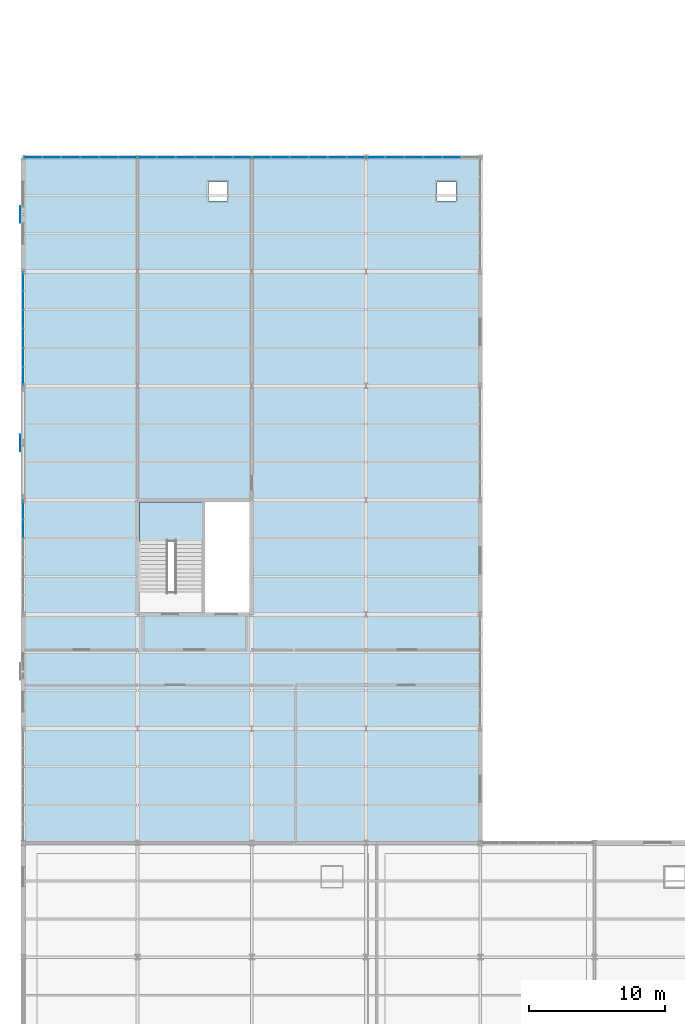
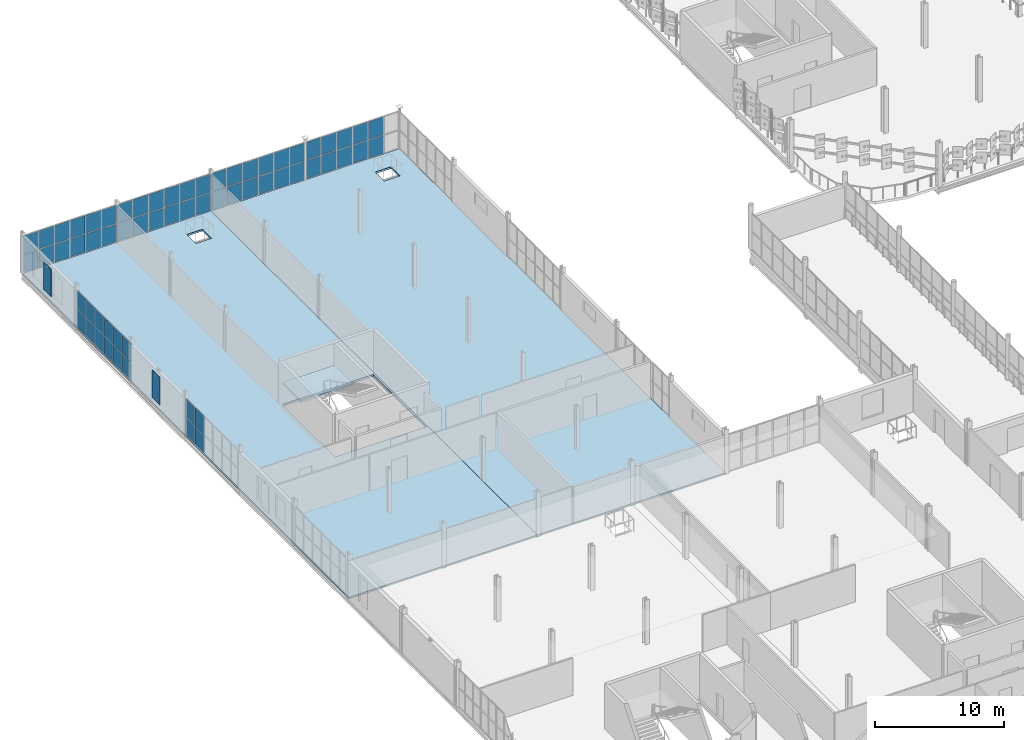
# One storey, part 119 of 163: 64 plates, 3 slabs, 7 elements without a shape of their own.
"""IFC4 building model written with IfcOpenShell, lengths in metres."""

from ifc_helpers import new_model, si_unit, direction, frame, origin, origin_2d, place, context, subcontext, project, spatial, polyline, rectangle, outline, extrude, material, layer, layer_set, type_object, element, aggregate, save


model = new_model("IFC4")

# Units and contexts
model_context = context("Model", 3, precision=1e-05, world=origin(), true_north=direction((0.0, 1.0)))
body_context = subcontext(model_context, "Body", "Model", "MODEL_VIEW")
ifc_project = project(units=[si_unit("LENGTHUNIT", "METRE"), si_unit("AREAUNIT", "SQUARE_METRE"), si_unit("VOLUMEUNIT", "CUBIC_METRE"), si_unit("PLANEANGLEUNIT", "RADIAN"), si_unit("MASSUNIT", "GRAM", prefix="KILO")], contexts=[model_context])

# Site, building, storey
site_placement = place(None, origin())
site = spatial("IfcSite", under=ifc_project, at=site_placement, CompositionType="ELEMENT")
building_placement = place(site_placement, origin())
building = spatial("IfcBuilding", under=site, at=building_placement, Name="Qalvenar Corner Mobility Hub", CompositionType="ELEMENT")
storey_placement = place(building_placement, frame((0.0, 0.0, 4.800048828125)))
storey = spatial("IfcBuildingStorey", under=building, at=storey_placement, Name="L01", CompositionType="ELEMENT", Elevation=4.800048828125)

# Curtain wall, plates
ifc_material_1 = material(Name="Anodised Aluminium and Low-E Glazing", Category="aluminium")
ifc_layer_1 = layer(ifc_material_1, 0.14990234375)
ifc_layer_set_1 = layer_set([ifc_layer_1], Name="Anodised Aluminium and Low-E Glazing")
curtain_wall_type = type_object("IfcCurtainWallType", Name="CW-CYC-84X39", PredefinedType="NOTDEFINED", material=ifc_layer_set_1)
curtain_wall_1_placement = place(storey_placement, origin())
curtain_wall_1 = element("IfcCurtainWall", 1, at=curtain_wall_1_placement, inside=storey, type_object=curtain_wall_type, Name="Glazed Curtain Wall CW-V5-L01-W2", PredefinedType="NOTDEFINED")
ifc_material_2 = material(Name="Solar-Control Low-E Double Glazing", Category="glass")
ifc_layer_2 = layer(ifc_material_2, 0.028076171875)
ifc_layer_set_2 = layer_set([ifc_layer_2], Name="Solar-Control Low-E Double Glazing")
plate_type_1 = type_object("IfcPlateType", Name="PLT-CWP-GLZ1", PredefinedType="CURTAIN_PANEL", material=ifc_layer_set_2)
plate_1_placement = place(storey_placement, frame((0.0, 66.485107421875, 0.05517578125), z_axis=(0.0, 0.0, 1.0), x_axis=(0.0, -1.0, 0.0)))
plate_1 = element("IfcPlate", 2, at=plate_1_placement, type_object=plate_type_1, Name="CW-08 panel 1.1", PredefinedType="CURTAIN_PANEL", context=body_context, shape_type="SweptSolid", body=[
    extrude(rectangle(XDim=1.31005859375, YDim=0.028076171875, at=origin_2d()), origin(), (0.0, 0.0, 1.0), 1.702392578125),
])
plate_2_placement = place(storey_placement, frame((0.0, 66.485107421875, 1.8125), z_axis=(0.0, 0.0, 1.0), x_axis=(0.0, -1.0, 0.0)))
plate_2 = element("IfcPlate", 3, at=plate_2_placement, type_object=plate_type_1, Name="CW-08 panel 1.2", PredefinedType="CURTAIN_PANEL", context=body_context, shape_type="SweptSolid", body=[
    extrude(rectangle(XDim=1.31005859375, YDim=0.028076171875, at=origin_2d()), origin(), (0.0, 0.0, 1.0), 1.702392578125),
])
plate_3_placement = place(storey_placement, frame((0.0, 65.10009765625, 0.05517578125), z_axis=(0.0, 0.0, 1.0), x_axis=(0.0, -1.0, 0.0)))
plate_3 = element("IfcPlate", 4, at=plate_3_placement, type_object=plate_type_1, Name="CW-08 panel 2.1", PredefinedType="CURTAIN_PANEL", context=body_context, shape_type="SweptSolid", body=[
    extrude(rectangle(XDim=1.340087890625, YDim=0.028076171875, at=origin_2d()), origin(), (0.0, 0.0, 1.0), 1.702392578125),
])
plate_4_placement = place(storey_placement, frame((0.0, 65.10009765625, 1.8125), z_axis=(0.0, 0.0, 1.0), x_axis=(0.0, -1.0, 0.0)))
plate_4 = element("IfcPlate", 5, at=plate_4_placement, type_object=plate_type_1, Name="CW-08 panel 2.2", PredefinedType="CURTAIN_PANEL", context=body_context, shape_type="SweptSolid", body=[
    extrude(rectangle(XDim=1.340087890625, YDim=0.028076171875, at=origin_2d()), origin(), (0.0, 0.0, 1.0), 1.702392578125),
])
aggregate(curtain_wall_1, [plate_1, plate_2, plate_3, plate_4])

curtain_wall_2_placement = place(storey_placement, origin())
curtain_wall_2 = element("IfcCurtainWall", 6, at=curtain_wall_2_placement, inside=storey, type_object=curtain_wall_type, Name="Glazed Curtain Wall CW-V5-L01-W4", PredefinedType="NOTDEFINED")
plate_5_placement = place(storey_placement, frame((0.0, 83.284912109375, 0.05517578125), z_axis=(0.0, 0.0, 1.0), x_axis=(0.0, -1.0, 0.0)))
plate_5 = element("IfcPlate", 7, at=plate_5_placement, type_object=plate_type_1, Name="CW-08 panel 1.1", PredefinedType="CURTAIN_PANEL", context=body_context, shape_type="SweptSolid", body=[
    extrude(rectangle(XDim=1.31005859375, YDim=0.028076171875, at=origin_2d()), origin(), (0.0, 0.0, 1.0), 1.702392578125),
])
plate_6_placement = place(storey_placement, frame((0.0, 83.284912109375, 1.8125), z_axis=(0.0, 0.0, 1.0), x_axis=(0.0, -1.0, 0.0)))
plate_6 = element("IfcPlate", 8, at=plate_6_placement, type_object=plate_type_1, Name="CW-08 panel 1.2", PredefinedType="CURTAIN_PANEL", context=body_context, shape_type="SweptSolid", body=[
    extrude(rectangle(XDim=1.31005859375, YDim=0.028076171875, at=origin_2d()), origin(), (0.0, 0.0, 1.0), 1.702392578125),
])
plate_7_placement = place(storey_placement, frame((0.0, 81.89990234375, 0.05517578125), z_axis=(0.0, 0.0, 1.0), x_axis=(0.0, -1.0, 0.0)))
plate_7 = element("IfcPlate", 9, at=plate_7_placement, type_object=plate_type_1, Name="CW-08 panel 2.1", PredefinedType="CURTAIN_PANEL", context=body_context, shape_type="SweptSolid", body=[
    extrude(rectangle(XDim=1.340087890625, YDim=0.028076171875, at=origin_2d()), origin(), (0.0, 0.0, 1.0), 1.702392578125),
])
plate_8_placement = place(storey_placement, frame((0.0, 81.89990234375, 1.8125), z_axis=(0.0, 0.0, 1.0), x_axis=(0.0, -1.0, 0.0)))
plate_8 = element("IfcPlate", 10, at=plate_8_placement, type_object=plate_type_1, Name="CW-08 panel 2.2", PredefinedType="CURTAIN_PANEL", context=body_context, shape_type="SweptSolid", body=[
    extrude(rectangle(XDim=1.340087890625, YDim=0.028076171875, at=origin_2d()), origin(), (0.0, 0.0, 1.0), 1.702392578125),
])
plate_9_placement = place(storey_placement, frame((0.0, 80.5, 0.05517578125), z_axis=(0.0, 0.0, 1.0), x_axis=(0.0, -1.0, 0.0)))
plate_9 = element("IfcPlate", 11, at=plate_9_placement, type_object=plate_type_1, Name="CW-08 panel 3.1", PredefinedType="CURTAIN_PANEL", context=body_context, shape_type="SweptSolid", body=[
    extrude(rectangle(XDim=1.340087890625, YDim=0.028076171875, at=origin_2d()), origin(), (0.0, 0.0, 1.0), 1.702392578125),
])
plate_10_placement = place(storey_placement, frame((0.0, 80.5, 1.8125), z_axis=(0.0, 0.0, 1.0), x_axis=(0.0, -1.0, 0.0)))
plate_10 = element("IfcPlate", 12, at=plate_10_placement, type_object=plate_type_1, Name="CW-08 panel 3.2", PredefinedType="CURTAIN_PANEL", context=body_context, shape_type="SweptSolid", body=[
    extrude(rectangle(XDim=1.340087890625, YDim=0.028076171875, at=origin_2d()), origin(), (0.0, 0.0, 1.0), 1.702392578125),
])
plate_11_placement = place(storey_placement, frame((0.0, 79.10009765625, 0.05517578125), z_axis=(0.0, 0.0, 1.0), x_axis=(0.0, -1.0, 0.0)))
plate_11 = element("IfcPlate", 13, at=plate_11_placement, type_object=plate_type_1, Name="CW-08 panel 4.1", PredefinedType="CURTAIN_PANEL", context=body_context, shape_type="SweptSolid", body=[
    extrude(rectangle(XDim=1.340087890625, YDim=0.028076171875, at=origin_2d()), origin(), (0.0, 0.0, 1.0), 1.702392578125),
])
plate_12_placement = place(storey_placement, frame((0.0, 79.10009765625, 1.8125), z_axis=(0.0, 0.0, 1.0), x_axis=(0.0, -1.0, 0.0)))
plate_12 = element("IfcPlate", 14, at=plate_12_placement, type_object=plate_type_1, Name="CW-08 panel 4.2", PredefinedType="CURTAIN_PANEL", context=body_context, shape_type="SweptSolid", body=[
    extrude(rectangle(XDim=1.340087890625, YDim=0.028076171875, at=origin_2d()), origin(), (0.0, 0.0, 1.0), 1.702392578125),
])
plate_13_placement = place(storey_placement, frame((0.0, 77.699951171875, 0.05517578125), z_axis=(0.0, 0.0, 1.0), x_axis=(0.0, -1.0, 0.0)))
plate_13 = element("IfcPlate", 15, at=plate_13_placement, type_object=plate_type_1, Name="CW-08 panel 5.1", PredefinedType="CURTAIN_PANEL", context=body_context, shape_type="SweptSolid", body=[
    extrude(rectangle(XDim=1.340087890625, YDim=0.028076171875, at=origin_2d()), origin(), (0.0, 0.0, 1.0), 1.702392578125),
])
plate_14_placement = place(storey_placement, frame((0.0, 77.699951171875, 1.8125), z_axis=(0.0, 0.0, 1.0), x_axis=(0.0, -1.0, 0.0)))
plate_14 = element("IfcPlate", 16, at=plate_14_placement, type_object=plate_type_1, Name="CW-08 panel 5.2", PredefinedType="CURTAIN_PANEL", context=body_context, shape_type="SweptSolid", body=[
    extrude(rectangle(XDim=1.340087890625, YDim=0.028076171875, at=origin_2d()), origin(), (0.0, 0.0, 1.0), 1.702392578125),
])
plate_15_placement = place(storey_placement, frame((0.0, 76.31494140625, 0.05517578125), z_axis=(0.0, 0.0, 1.0), x_axis=(0.0, -1.0, 0.0)))
plate_15 = element("IfcPlate", 17, at=plate_15_placement, type_object=plate_type_1, Name="CW-08 panel 6.1", PredefinedType="CURTAIN_PANEL", context=body_context, shape_type="SweptSolid", body=[
    extrude(rectangle(XDim=1.31005859375, YDim=0.028076171875, at=origin_2d()), origin(), (0.0, 0.0, 1.0), 1.702392578125),
])
plate_16_placement = place(storey_placement, frame((0.0, 76.31494140625, 1.8125), z_axis=(0.0, 0.0, 1.0), x_axis=(0.0, -1.0, 0.0)))
plate_16 = element("IfcPlate", 18, at=plate_16_placement, type_object=plate_type_1, Name="CW-08 panel 6.2", PredefinedType="CURTAIN_PANEL", context=body_context, shape_type="SweptSolid", body=[
    extrude(rectangle(XDim=1.31005859375, YDim=0.028076171875, at=origin_2d()), origin(), (0.0, 0.0, 1.0), 1.702392578125),
])
aggregate(curtain_wall_2, [plate_5, plate_6, plate_7, plate_8, plate_9, plate_10, plate_11, plate_12, plate_13, plate_14, plate_15, plate_16])

curtain_wall_3_placement = place(storey_placement, origin())
curtain_wall_3 = element("IfcCurtainWall", 19, at=curtain_wall_3_placement, inside=storey, type_object=curtain_wall_type, Name="Glazed Curtain Wall CW-V5-L01-N0", PredefinedType="NOTDEFINED")
plate_17_placement = place(storey_placement, frame((7.68505859375, 92.39990234375, 0.05517578125), z_axis=(0.0, 0.0, 1.0), x_axis=(-1.0, 0.0, 0.0)))
plate_17 = element("IfcPlate", 20, at=plate_17_placement, type_object=plate_type_1, Name="CW-08 panel 1.1", PredefinedType="CURTAIN_PANEL", context=body_context, shape_type="SweptSolid", body=[
    extrude(rectangle(XDim=1.31005859375, YDim=0.028076171875, at=origin_2d()), origin(), (0.0, 0.0, 1.0), 1.702392578125),
])
plate_18_placement = place(storey_placement, frame((7.68505859375, 92.39990234375, 1.8125), z_axis=(0.0, 0.0, 1.0), x_axis=(-1.0, 0.0, 0.0)))
plate_18 = element("IfcPlate", 21, at=plate_18_placement, type_object=plate_type_1, Name="CW-08 panel 1.2", PredefinedType="CURTAIN_PANEL", context=body_context, shape_type="SweptSolid", body=[
    extrude(rectangle(XDim=1.31005859375, YDim=0.028076171875, at=origin_2d()), origin(), (0.0, 0.0, 1.0), 1.702392578125),
])
plate_19_placement = place(storey_placement, frame((6.300048828125, 92.39990234375, 0.05517578125), z_axis=(0.0, 0.0, 1.0), x_axis=(-1.0, 0.0, 0.0)))
plate_19 = element("IfcPlate", 22, at=plate_19_placement, type_object=plate_type_1, Name="CW-08 panel 2.1", PredefinedType="CURTAIN_PANEL", context=body_context, shape_type="SweptSolid", body=[
    extrude(rectangle(XDim=1.340087890625, YDim=0.028076171875, at=origin_2d()), origin(), (0.0, 0.0, 1.0), 1.702392578125),
])
plate_20_placement = place(storey_placement, frame((6.300048828125, 92.39990234375, 1.8125), z_axis=(0.0, 0.0, 1.0), x_axis=(-1.0, 0.0, 0.0)))
plate_20 = element("IfcPlate", 23, at=plate_20_placement, type_object=plate_type_1, Name="CW-08 panel 2.2", PredefinedType="CURTAIN_PANEL", context=body_context, shape_type="SweptSolid", body=[
    extrude(rectangle(XDim=1.340087890625, YDim=0.028076171875, at=origin_2d()), origin(), (0.0, 0.0, 1.0), 1.702392578125),
])
plate_21_placement = place(storey_placement, frame((4.89990234375, 92.39990234375, 0.05517578125), z_axis=(0.0, 0.0, 1.0), x_axis=(-1.0, 0.0, 0.0)))
plate_21 = element("IfcPlate", 24, at=plate_21_placement, type_object=plate_type_1, Name="CW-08 panel 3.1", PredefinedType="CURTAIN_PANEL", context=body_context, shape_type="SweptSolid", body=[
    extrude(rectangle(XDim=1.340087890625, YDim=0.028076171875, at=origin_2d()), origin(), (0.0, 0.0, 1.0), 1.702392578125),
])
plate_22_placement = place(storey_placement, frame((4.89990234375, 92.39990234375, 1.8125), z_axis=(0.0, 0.0, 1.0), x_axis=(-1.0, 0.0, 0.0)))
plate_22 = element("IfcPlate", 25, at=plate_22_placement, type_object=plate_type_1, Name="CW-08 panel 3.2", PredefinedType="CURTAIN_PANEL", context=body_context, shape_type="SweptSolid", body=[
    extrude(rectangle(XDim=1.340087890625, YDim=0.028076171875, at=origin_2d()), origin(), (0.0, 0.0, 1.0), 1.702392578125),
])
plate_23_placement = place(storey_placement, frame((3.5, 92.39990234375, 0.05517578125), z_axis=(0.0, 0.0, 1.0), x_axis=(-1.0, 0.0, 0.0)))
plate_23 = element("IfcPlate", 26, at=plate_23_placement, type_object=plate_type_1, Name="CW-08 panel 4.1", PredefinedType="CURTAIN_PANEL", context=body_context, shape_type="SweptSolid", body=[
    extrude(rectangle(XDim=1.340087890625, YDim=0.028076171875, at=origin_2d()), origin(), (0.0, 0.0, 1.0), 1.702392578125),
])
plate_24_placement = place(storey_placement, frame((3.5, 92.39990234375, 1.8125), z_axis=(0.0, 0.0, 1.0), x_axis=(-1.0, 0.0, 0.0)))
plate_24 = element("IfcPlate", 27, at=plate_24_placement, type_object=plate_type_1, Name="CW-08 panel 4.2", PredefinedType="CURTAIN_PANEL", context=body_context, shape_type="SweptSolid", body=[
    extrude(rectangle(XDim=1.340087890625, YDim=0.028076171875, at=origin_2d()), origin(), (0.0, 0.0, 1.0), 1.702392578125),
])
plate_25_placement = place(storey_placement, frame((2.10009765625, 92.39990234375, 0.05517578125), z_axis=(0.0, 0.0, 1.0), x_axis=(-1.0, 0.0, 0.0)))
plate_25 = element("IfcPlate", 28, at=plate_25_placement, type_object=plate_type_1, Name="CW-08 panel 5.1", PredefinedType="CURTAIN_PANEL", context=body_context, shape_type="SweptSolid", body=[
    extrude(rectangle(XDim=1.340087890625, YDim=0.028076171875, at=origin_2d()), origin(), (0.0, 0.0, 1.0), 1.702392578125),
])
plate_26_placement = place(storey_placement, frame((2.10009765625, 92.39990234375, 1.8125), z_axis=(0.0, 0.0, 1.0), x_axis=(-1.0, 0.0, 0.0)))
plate_26 = element("IfcPlate", 29, at=plate_26_placement, type_object=plate_type_1, Name="CW-08 panel 5.2", PredefinedType="CURTAIN_PANEL", context=body_context, shape_type="SweptSolid", body=[
    extrude(rectangle(XDim=1.340087890625, YDim=0.028076171875, at=origin_2d()), origin(), (0.0, 0.0, 1.0), 1.702392578125),
])
plate_27_placement = place(storey_placement, frame((0.715087890625, 92.39990234375, 0.05517578125), z_axis=(0.0, 0.0, 1.0), x_axis=(-1.0, 0.0, 0.0)))
plate_27 = element("IfcPlate", 30, at=plate_27_placement, type_object=plate_type_1, Name="CW-08 panel 6.1", PredefinedType="CURTAIN_PANEL", context=body_context, shape_type="SweptSolid", body=[
    extrude(rectangle(XDim=1.31005859375, YDim=0.028076171875, at=origin_2d()), origin(), (0.0, 0.0, 1.0), 1.702392578125),
])
plate_28_placement = place(storey_placement, frame((0.715087890625, 92.39990234375, 1.8125), z_axis=(0.0, 0.0, 1.0), x_axis=(-1.0, 0.0, 0.0)))
plate_28 = element("IfcPlate", 31, at=plate_28_placement, type_object=plate_type_1, Name="CW-08 panel 6.2", PredefinedType="CURTAIN_PANEL", context=body_context, shape_type="SweptSolid", body=[
    extrude(rectangle(XDim=1.31005859375, YDim=0.028076171875, at=origin_2d()), origin(), (0.0, 0.0, 1.0), 1.702392578125),
])
aggregate(curtain_wall_3, [plate_17, plate_18, plate_19, plate_20, plate_21, plate_22, plate_23, plate_24, plate_25, plate_26, plate_27, plate_28])

curtain_wall_4_placement = place(storey_placement, origin())
curtain_wall_4 = element("IfcCurtainWall", 32, at=curtain_wall_4_placement, inside=storey, type_object=curtain_wall_type, Name="Glazed Curtain Wall CW-V5-L01-N1", PredefinedType="NOTDEFINED")
plate_29_placement = place(storey_placement, frame((16.0849609375, 92.39990234375, 0.05517578125), z_axis=(0.0, 0.0, 1.0), x_axis=(-1.0, 0.0, 0.0)))
plate_29 = element("IfcPlate", 33, at=plate_29_placement, type_object=plate_type_1, Name="CW-08 panel 1.1", PredefinedType="CURTAIN_PANEL", context=body_context, shape_type="SweptSolid", body=[
    extrude(rectangle(XDim=1.31005859375, YDim=0.028076171875, at=origin_2d()), origin(), (0.0, 0.0, 1.0), 1.702392578125),
])
plate_30_placement = place(storey_placement, frame((16.0849609375, 92.39990234375, 1.8125), z_axis=(0.0, 0.0, 1.0), x_axis=(-1.0, 0.0, 0.0)))
plate_30 = element("IfcPlate", 34, at=plate_30_placement, type_object=plate_type_1, Name="CW-08 panel 1.2", PredefinedType="CURTAIN_PANEL", context=body_context, shape_type="SweptSolid", body=[
    extrude(rectangle(XDim=1.31005859375, YDim=0.028076171875, at=origin_2d()), origin(), (0.0, 0.0, 1.0), 1.702392578125),
])
plate_31_placement = place(storey_placement, frame((14.699951171875, 92.39990234375, 0.05517578125), z_axis=(0.0, 0.0, 1.0), x_axis=(-1.0, 0.0, 0.0)))
plate_31 = element("IfcPlate", 35, at=plate_31_placement, type_object=plate_type_1, Name="CW-08 panel 2.1", PredefinedType="CURTAIN_PANEL", context=body_context, shape_type="SweptSolid", body=[
    extrude(rectangle(XDim=1.340087890625, YDim=0.028076171875, at=origin_2d()), origin(), (0.0, 0.0, 1.0), 1.702392578125),
])
plate_32_placement = place(storey_placement, frame((14.699951171875, 92.39990234375, 1.8125), z_axis=(0.0, 0.0, 1.0), x_axis=(-1.0, 0.0, 0.0)))
plate_32 = element("IfcPlate", 36, at=plate_32_placement, type_object=plate_type_1, Name="CW-08 panel 2.2", PredefinedType="CURTAIN_PANEL", context=body_context, shape_type="SweptSolid", body=[
    extrude(rectangle(XDim=1.340087890625, YDim=0.028076171875, at=origin_2d()), origin(), (0.0, 0.0, 1.0), 1.702392578125),
])
plate_33_placement = place(storey_placement, frame((13.300048828125, 92.39990234375, 0.05517578125), z_axis=(0.0, 0.0, 1.0), x_axis=(-1.0, 0.0, 0.0)))
plate_33 = element("IfcPlate", 37, at=plate_33_placement, type_object=plate_type_1, Name="CW-08 panel 3.1", PredefinedType="CURTAIN_PANEL", context=body_context, shape_type="SweptSolid", body=[
    extrude(rectangle(XDim=1.340087890625, YDim=0.028076171875, at=origin_2d()), origin(), (0.0, 0.0, 1.0), 1.702392578125),
])
plate_34_placement = place(storey_placement, frame((13.300048828125, 92.39990234375, 1.8125), z_axis=(0.0, 0.0, 1.0), x_axis=(-1.0, 0.0, 0.0)))
plate_34 = element("IfcPlate", 38, at=plate_34_placement, type_object=plate_type_1, Name="CW-08 panel 3.2", PredefinedType="CURTAIN_PANEL", context=body_context, shape_type="SweptSolid", body=[
    extrude(rectangle(XDim=1.340087890625, YDim=0.028076171875, at=origin_2d()), origin(), (0.0, 0.0, 1.0), 1.702392578125),
])
plate_35_placement = place(storey_placement, frame((11.89990234375, 92.39990234375, 0.05517578125), z_axis=(0.0, 0.0, 1.0), x_axis=(-1.0, 0.0, 0.0)))
plate_35 = element("IfcPlate", 39, at=plate_35_placement, type_object=plate_type_1, Name="CW-08 panel 4.1", PredefinedType="CURTAIN_PANEL", context=body_context, shape_type="SweptSolid", body=[
    extrude(rectangle(XDim=1.340087890625, YDim=0.028076171875, at=origin_2d()), origin(), (0.0, 0.0, 1.0), 1.702392578125),
])
plate_36_placement = place(storey_placement, frame((11.89990234375, 92.39990234375, 1.8125), z_axis=(0.0, 0.0, 1.0), x_axis=(-1.0, 0.0, 0.0)))
plate_36 = element("IfcPlate", 40, at=plate_36_placement, type_object=plate_type_1, Name="CW-08 panel 4.2", PredefinedType="CURTAIN_PANEL", context=body_context, shape_type="SweptSolid", body=[
    extrude(rectangle(XDim=1.340087890625, YDim=0.028076171875, at=origin_2d()), origin(), (0.0, 0.0, 1.0), 1.702392578125),
])
plate_37_placement = place(storey_placement, frame((10.5, 92.39990234375, 0.05517578125), z_axis=(0.0, 0.0, 1.0), x_axis=(-1.0, 0.0, 0.0)))
plate_37 = element("IfcPlate", 41, at=plate_37_placement, type_object=plate_type_1, Name="CW-08 panel 5.1", PredefinedType="CURTAIN_PANEL", context=body_context, shape_type="SweptSolid", body=[
    extrude(rectangle(XDim=1.340087890625, YDim=0.028076171875, at=origin_2d()), origin(), (0.0, 0.0, 1.0), 1.702392578125),
])
plate_38_placement = place(storey_placement, frame((10.5, 92.39990234375, 1.8125), z_axis=(0.0, 0.0, 1.0), x_axis=(-1.0, 0.0, 0.0)))
plate_38 = element("IfcPlate", 42, at=plate_38_placement, type_object=plate_type_1, Name="CW-08 panel 5.2", PredefinedType="CURTAIN_PANEL", context=body_context, shape_type="SweptSolid", body=[
    extrude(rectangle(XDim=1.340087890625, YDim=0.028076171875, at=origin_2d()), origin(), (0.0, 0.0, 1.0), 1.702392578125),
])
plate_39_placement = place(storey_placement, frame((9.114990234375, 92.39990234375, 0.05517578125), z_axis=(0.0, 0.0, 1.0), x_axis=(-1.0, 0.0, 0.0)))
plate_39 = element("IfcPlate", 43, at=plate_39_placement, type_object=plate_type_1, Name="CW-08 panel 6.1", PredefinedType="CURTAIN_PANEL", context=body_context, shape_type="SweptSolid", body=[
    extrude(rectangle(XDim=1.31005859375, YDim=0.028076171875, at=origin_2d()), origin(), (0.0, 0.0, 1.0), 1.702392578125),
])
plate_40_placement = place(storey_placement, frame((9.114990234375, 92.39990234375, 1.8125), z_axis=(0.0, 0.0, 1.0), x_axis=(-1.0, 0.0, 0.0)))
plate_40 = element("IfcPlate", 44, at=plate_40_placement, type_object=plate_type_1, Name="CW-08 panel 6.2", PredefinedType="CURTAIN_PANEL", context=body_context, shape_type="SweptSolid", body=[
    extrude(rectangle(XDim=1.31005859375, YDim=0.028076171875, at=origin_2d()), origin(), (0.0, 0.0, 1.0), 1.702392578125),
])
aggregate(curtain_wall_4, [plate_29, plate_30, plate_31, plate_32, plate_33, plate_34, plate_35, plate_36, plate_37, plate_38, plate_39, plate_40])

curtain_wall_5_placement = place(storey_placement, origin())
curtain_wall_5 = element("IfcCurtainWall", 45, at=curtain_wall_5_placement, inside=storey, type_object=curtain_wall_type, Name="Glazed Curtain Wall CW-V5-L01-N2", PredefinedType="NOTDEFINED")
plate_41_placement = place(storey_placement, frame((24.485107421875, 92.39990234375, 0.05517578125), z_axis=(0.0, 0.0, 1.0), x_axis=(-1.0, 0.0, 0.0)))
plate_41 = element("IfcPlate", 46, at=plate_41_placement, type_object=plate_type_1, Name="CW-08 panel 1.1", PredefinedType="CURTAIN_PANEL", context=body_context, shape_type="SweptSolid", body=[
    extrude(rectangle(XDim=1.31005859375, YDim=0.028076171875, at=origin_2d()), origin(), (0.0, 0.0, 1.0), 1.702392578125),
])
plate_42_placement = place(storey_placement, frame((24.485107421875, 92.39990234375, 1.8125), z_axis=(0.0, 0.0, 1.0), x_axis=(-1.0, 0.0, 0.0)))
plate_42 = element("IfcPlate", 47, at=plate_42_placement, type_object=plate_type_1, Name="CW-08 panel 1.2", PredefinedType="CURTAIN_PANEL", context=body_context, shape_type="SweptSolid", body=[
    extrude(rectangle(XDim=1.31005859375, YDim=0.028076171875, at=origin_2d()), origin(), (0.0, 0.0, 1.0), 1.702392578125),
])
plate_43_placement = place(storey_placement, frame((23.10009765625, 92.39990234375, 0.05517578125), z_axis=(0.0, 0.0, 1.0), x_axis=(-1.0, 0.0, 0.0)))
plate_43 = element("IfcPlate", 48, at=plate_43_placement, type_object=plate_type_1, Name="CW-08 panel 2.1", PredefinedType="CURTAIN_PANEL", context=body_context, shape_type="SweptSolid", body=[
    extrude(rectangle(XDim=1.340087890625, YDim=0.028076171875, at=origin_2d()), origin(), (0.0, 0.0, 1.0), 1.702392578125),
])
plate_44_placement = place(storey_placement, frame((23.10009765625, 92.39990234375, 1.8125), z_axis=(0.0, 0.0, 1.0), x_axis=(-1.0, 0.0, 0.0)))
plate_44 = element("IfcPlate", 49, at=plate_44_placement, type_object=plate_type_1, Name="CW-08 panel 2.2", PredefinedType="CURTAIN_PANEL", context=body_context, shape_type="SweptSolid", body=[
    extrude(rectangle(XDim=1.340087890625, YDim=0.028076171875, at=origin_2d()), origin(), (0.0, 0.0, 1.0), 1.702392578125),
])
plate_45_placement = place(storey_placement, frame((21.699951171875, 92.39990234375, 0.05517578125), z_axis=(0.0, 0.0, 1.0), x_axis=(-1.0, 0.0, 0.0)))
plate_45 = element("IfcPlate", 50, at=plate_45_placement, type_object=plate_type_1, Name="CW-08 panel 3.1", PredefinedType="CURTAIN_PANEL", context=body_context, shape_type="SweptSolid", body=[
    extrude(rectangle(XDim=1.340087890625, YDim=0.028076171875, at=origin_2d()), origin(), (0.0, 0.0, 1.0), 1.702392578125),
])
plate_46_placement = place(storey_placement, frame((21.699951171875, 92.39990234375, 1.8125), z_axis=(0.0, 0.0, 1.0), x_axis=(-1.0, 0.0, 0.0)))
plate_46 = element("IfcPlate", 51, at=plate_46_placement, type_object=plate_type_1, Name="CW-08 panel 3.2", PredefinedType="CURTAIN_PANEL", context=body_context, shape_type="SweptSolid", body=[
    extrude(rectangle(XDim=1.340087890625, YDim=0.028076171875, at=origin_2d()), origin(), (0.0, 0.0, 1.0), 1.702392578125),
])
plate_47_placement = place(storey_placement, frame((20.300048828125, 92.39990234375, 0.05517578125), z_axis=(0.0, 0.0, 1.0), x_axis=(-1.0, 0.0, 0.0)))
plate_47 = element("IfcPlate", 52, at=plate_47_placement, type_object=plate_type_1, Name="CW-08 panel 4.1", PredefinedType="CURTAIN_PANEL", context=body_context, shape_type="SweptSolid", body=[
    extrude(rectangle(XDim=1.340087890625, YDim=0.028076171875, at=origin_2d()), origin(), (0.0, 0.0, 1.0), 1.702392578125),
])
plate_48_placement = place(storey_placement, frame((20.300048828125, 92.39990234375, 1.8125), z_axis=(0.0, 0.0, 1.0), x_axis=(-1.0, 0.0, 0.0)))
plate_48 = element("IfcPlate", 53, at=plate_48_placement, type_object=plate_type_1, Name="CW-08 panel 4.2", PredefinedType="CURTAIN_PANEL", context=body_context, shape_type="SweptSolid", body=[
    extrude(rectangle(XDim=1.340087890625, YDim=0.028076171875, at=origin_2d()), origin(), (0.0, 0.0, 1.0), 1.702392578125),
])
plate_49_placement = place(storey_placement, frame((18.89990234375, 92.39990234375, 0.05517578125), z_axis=(0.0, 0.0, 1.0), x_axis=(-1.0, 0.0, 0.0)))
plate_49 = element("IfcPlate", 54, at=plate_49_placement, type_object=plate_type_1, Name="CW-08 panel 5.1", PredefinedType="CURTAIN_PANEL", context=body_context, shape_type="SweptSolid", body=[
    extrude(rectangle(XDim=1.340087890625, YDim=0.028076171875, at=origin_2d()), origin(), (0.0, 0.0, 1.0), 1.702392578125),
])
plate_50_placement = place(storey_placement, frame((18.89990234375, 92.39990234375, 1.8125), z_axis=(0.0, 0.0, 1.0), x_axis=(-1.0, 0.0, 0.0)))
plate_50 = element("IfcPlate", 55, at=plate_50_placement, type_object=plate_type_1, Name="CW-08 panel 5.2", PredefinedType="CURTAIN_PANEL", context=body_context, shape_type="SweptSolid", body=[
    extrude(rectangle(XDim=1.340087890625, YDim=0.028076171875, at=origin_2d()), origin(), (0.0, 0.0, 1.0), 1.702392578125),
])
plate_51_placement = place(storey_placement, frame((17.514892578125, 92.39990234375, 0.05517578125), z_axis=(0.0, 0.0, 1.0), x_axis=(-1.0, 0.0, 0.0)))
plate_51 = element("IfcPlate", 56, at=plate_51_placement, type_object=plate_type_1, Name="CW-08 panel 6.1", PredefinedType="CURTAIN_PANEL", context=body_context, shape_type="SweptSolid", body=[
    extrude(rectangle(XDim=1.31005859375, YDim=0.028076171875, at=origin_2d()), origin(), (0.0, 0.0, 1.0), 1.702392578125),
])
plate_52_placement = place(storey_placement, frame((17.514892578125, 92.39990234375, 1.8125), z_axis=(0.0, 0.0, 1.0), x_axis=(-1.0, 0.0, 0.0)))
plate_52 = element("IfcPlate", 57, at=plate_52_placement, type_object=plate_type_1, Name="CW-08 panel 6.2", PredefinedType="CURTAIN_PANEL", context=body_context, shape_type="SweptSolid", body=[
    extrude(rectangle(XDim=1.31005859375, YDim=0.028076171875, at=origin_2d()), origin(), (0.0, 0.0, 1.0), 1.702392578125),
])
aggregate(curtain_wall_5, [plate_41, plate_42, plate_43, plate_44, plate_45, plate_46, plate_47, plate_48, plate_49, plate_50, plate_51, plate_52])

curtain_wall_6_placement = place(storey_placement, origin())
curtain_wall_6 = element("IfcCurtainWall", 58, at=curtain_wall_6_placement, inside=storey, type_object=curtain_wall_type, Name="Glazed Curtain Wall CW-V5-L01-N3", PredefinedType="NOTDEFINED")
plate_53_placement = place(storey_placement, frame((31.5, 92.39990234375, 0.05517578125), z_axis=(0.0, 0.0, 1.0), x_axis=(-1.0, 0.0, 0.0)))
plate_53 = element("IfcPlate", 59, at=plate_53_placement, type_object=plate_type_1, Name="CW-08 panel 2.1", PredefinedType="CURTAIN_PANEL", context=body_context, shape_type="SweptSolid", body=[
    extrude(rectangle(XDim=1.340087890625, YDim=0.028076171875, at=origin_2d()), origin(), (0.0, 0.0, 1.0), 1.702392578125),
])
plate_54_placement = place(storey_placement, frame((31.5, 92.39990234375, 1.8125), z_axis=(0.0, 0.0, 1.0), x_axis=(-1.0, 0.0, 0.0)))
plate_54 = element("IfcPlate", 60, at=plate_54_placement, type_object=plate_type_1, Name="CW-08 panel 2.2", PredefinedType="CURTAIN_PANEL", context=body_context, shape_type="SweptSolid", body=[
    extrude(rectangle(XDim=1.340087890625, YDim=0.028076171875, at=origin_2d()), origin(), (0.0, 0.0, 1.0), 1.702392578125),
])
plate_55_placement = place(storey_placement, frame((30.10009765625, 92.39990234375, 0.05517578125), z_axis=(0.0, 0.0, 1.0), x_axis=(-1.0, 0.0, 0.0)))
plate_55 = element("IfcPlate", 61, at=plate_55_placement, type_object=plate_type_1, Name="CW-08 panel 3.1", PredefinedType="CURTAIN_PANEL", context=body_context, shape_type="SweptSolid", body=[
    extrude(rectangle(XDim=1.340087890625, YDim=0.028076171875, at=origin_2d()), origin(), (0.0, 0.0, 1.0), 1.702392578125),
])
plate_56_placement = place(storey_placement, frame((30.10009765625, 92.39990234375, 1.8125), z_axis=(0.0, 0.0, 1.0), x_axis=(-1.0, 0.0, 0.0)))
plate_56 = element("IfcPlate", 62, at=plate_56_placement, type_object=plate_type_1, Name="CW-08 panel 3.2", PredefinedType="CURTAIN_PANEL", context=body_context, shape_type="SweptSolid", body=[
    extrude(rectangle(XDim=1.340087890625, YDim=0.028076171875, at=origin_2d()), origin(), (0.0, 0.0, 1.0), 1.702392578125),
])
plate_57_placement = place(storey_placement, frame((28.699951171875, 92.39990234375, 0.05517578125), z_axis=(0.0, 0.0, 1.0), x_axis=(-1.0, 0.0, 0.0)))
plate_57 = element("IfcPlate", 63, at=plate_57_placement, type_object=plate_type_1, Name="CW-08 panel 4.1", PredefinedType="CURTAIN_PANEL", context=body_context, shape_type="SweptSolid", body=[
    extrude(rectangle(XDim=1.340087890625, YDim=0.028076171875, at=origin_2d()), origin(), (0.0, 0.0, 1.0), 1.702392578125),
])
plate_58_placement = place(storey_placement, frame((28.699951171875, 92.39990234375, 1.8125), z_axis=(0.0, 0.0, 1.0), x_axis=(-1.0, 0.0, 0.0)))
plate_58 = element("IfcPlate", 64, at=plate_58_placement, type_object=plate_type_1, Name="CW-08 panel 4.2", PredefinedType="CURTAIN_PANEL", context=body_context, shape_type="SweptSolid", body=[
    extrude(rectangle(XDim=1.340087890625, YDim=0.028076171875, at=origin_2d()), origin(), (0.0, 0.0, 1.0), 1.702392578125),
])
plate_59_placement = place(storey_placement, frame((27.300048828125, 92.39990234375, 0.05517578125), z_axis=(0.0, 0.0, 1.0), x_axis=(-1.0, 0.0, 0.0)))
plate_59 = element("IfcPlate", 65, at=plate_59_placement, type_object=plate_type_1, Name="CW-08 panel 5.1", PredefinedType="CURTAIN_PANEL", context=body_context, shape_type="SweptSolid", body=[
    extrude(rectangle(XDim=1.340087890625, YDim=0.028076171875, at=origin_2d()), origin(), (0.0, 0.0, 1.0), 1.702392578125),
])
plate_60_placement = place(storey_placement, frame((27.300048828125, 92.39990234375, 1.8125), z_axis=(0.0, 0.0, 1.0), x_axis=(-1.0, 0.0, 0.0)))
plate_60 = element("IfcPlate", 66, at=plate_60_placement, type_object=plate_type_1, Name="CW-08 panel 5.2", PredefinedType="CURTAIN_PANEL", context=body_context, shape_type="SweptSolid", body=[
    extrude(rectangle(XDim=1.340087890625, YDim=0.028076171875, at=origin_2d()), origin(), (0.0, 0.0, 1.0), 1.702392578125),
])
plate_61_placement = place(storey_placement, frame((25.9150390625, 92.39990234375, 0.05517578125), z_axis=(0.0, 0.0, 1.0), x_axis=(-1.0, 0.0, 0.0)))
plate_61 = element("IfcPlate", 67, at=plate_61_placement, type_object=plate_type_1, Name="CW-08 panel 6.1", PredefinedType="CURTAIN_PANEL", context=body_context, shape_type="SweptSolid", body=[
    extrude(rectangle(XDim=1.31005859375, YDim=0.028076171875, at=origin_2d()), origin(), (0.0, 0.0, 1.0), 1.702392578125),
])
plate_62_placement = place(storey_placement, frame((25.9150390625, 92.39990234375, 1.8125), z_axis=(0.0, 0.0, 1.0), x_axis=(-1.0, 0.0, 0.0)))
plate_62 = element("IfcPlate", 68, at=plate_62_placement, type_object=plate_type_1, Name="CW-08 panel 6.2", PredefinedType="CURTAIN_PANEL", context=body_context, shape_type="SweptSolid", body=[
    extrude(rectangle(XDim=1.31005859375, YDim=0.028076171875, at=origin_2d()), origin(), (0.0, 0.0, 1.0), 1.702392578125),
])
aggregate(curtain_wall_6, [plate_53, plate_54, plate_55, plate_56, plate_57, plate_58, plate_59, plate_60, plate_61, plate_62])

# Plates
ifc_material_3 = material(Name="Perforated Turquoise-Patina Aluminium", Category="aluminium")
ifc_layer_3 = layer(ifc_material_3, 0.028076171875)
ifc_layer_set_3 = layer_set([ifc_layer_3], Name="Perforated Turquoise-Patina Aluminium")
plate_type_2 = type_object("IfcPlateType", Name="PLT-SCR-CYC", PredefinedType="SHEET", material=ifc_layer_set_3)
for number, where, z_axis, x_axis, name in (
    (69, (-0.219970703125, 71.39990234375, 0.75), (0.0, 0.0, 1.0), (0.0, 1.0, 0.0), "Cycle Hall Sun Screen SC2-L01-3"),
    (70, (-0.219970703125, 88.199951171875, 0.75), (0.0, 0.0, 1.0), (0.0, 1.0, 0.0), "Cycle Hall Sun Screen SC2-L01-5"),
):
    element("IfcPlate", number, at=place(storey_placement, frame(where, z_axis=z_axis, x_axis=x_axis)), inside=storey, type_object=plate_type_2, Name=name, PredefinedType="SHEET", context=body_context, shape_type="SweptSolid", body=[
        extrude(rectangle(XDim=1.199951171875, YDim=0.028076171875, at=origin_2d()), origin(), (0.0, 0.0, 1.0), 2.60009765625),
    ])

# Slabs
ifc_material_4 = material(Name="Concrete C35/45", Category="concrete")
ifc_layer_4 = layer(ifc_material_4, 0.179931640625)
ifc_layer_set_4 = layer_set([ifc_layer_4], Name="Concrete C35/45")
slab_type_1 = type_object("IfcSlabType", Name="SLB-COMP180", PredefinedType="FLOOR", material=ifc_layer_set_4)
slab_1_placement = place(storey_placement, frame((0.0, 0.0, -0.179931640625)))
element("IfcSlab", 71, at=slab_1_placement, inside=storey, type_object=slab_type_1, Name="Composite Slab V5-A-L01", PredefinedType="FLOOR", context=body_context, shape_type="SweptSolid", body=[
    extrude(outline(polyline([(0.0, 42.0), (16.800048828125, 42.0), (16.800048828125, 92.39990234375), (0.0, 92.39990234375), (0.0, 42.0)]), holes=[polyline([(8.530029296875, 58.929931640625), (16.669921875, 58.929931640625), (16.669921875, 67.070068359375), (8.530029296875, 67.070068359375), (8.530029296875, 58.929931640625)]), polyline([(13.60009765625, 89.199951171875), (15.0, 89.199951171875), (15.0, 90.60009765625), (13.60009765625, 90.60009765625), (13.60009765625, 89.199951171875)])]), origin(), (0.0, 0.0, 1.0), 0.179931640625),
])
slab_2_placement = place(storey_placement, frame((0.0, 0.0, -0.179931640625)))
element("IfcSlab", 72, at=slab_2_placement, inside=storey, type_object=slab_type_1, Name="Composite Slab V5-B-L01", PredefinedType="FLOOR", context=body_context, shape_type="SweptSolid", body=[
    extrude(outline(polyline([(16.800048828125, 42.0), (33.60009765625, 42.0), (33.60009765625, 92.39990234375), (16.800048828125, 92.39990234375), (16.800048828125, 42.0)]), holes=[polyline([(30.39990234375, 89.199951171875), (31.800048828125, 89.199951171875), (31.800048828125, 90.60009765625), (30.39990234375, 90.60009765625), (30.39990234375, 89.199951171875)])]), origin(), (0.0, 0.0, 1.0), 0.179931640625),
])

# Stair, slab
stair_type = type_object("IfcStairType", Name="STR-200-H42", PredefinedType="HALF_TURN_STAIR", material=ifc_material_4)
stair_placement = place(storey_placement, origin())
stair = element("IfcStair", 73, at=stair_placement, inside=storey, type_object=stair_type, Name="Exit Stair ST5 L01-L02", PredefinedType="HALF_TURN_STAIR")
ifc_layer_5 = layer(ifc_material_4, 0.179931640625)
ifc_layer_set_5 = layer_set([ifc_layer_5], Name="Concrete C35/45")
slab_type_2 = type_object("IfcSlabType", Name="SLB-LND180", PredefinedType="LANDING", material=ifc_layer_set_5)
slab_3_placement = place(storey_placement, frame((0.0, 0.0, 1.919921875)))
slab_3 = element("IfcSlab", 74, at=slab_3_placement, type_object=slab_type_2, Name="ST5 landing 1", PredefinedType="LANDING", context=body_context, shape_type="SweptSolid", body=[
    extrude(outline(polyline([(8.5400390625, 64.14990234375), (13.179931640625, 64.14990234375), (13.179931640625, 67.06005859375), (8.5400390625, 67.06005859375), (8.5400390625, 64.14990234375)])), origin(), (0.0, 0.0, 1.0), 0.179931640625),
])
aggregate(stair, [slab_3])

save(model, "model.ifc")
